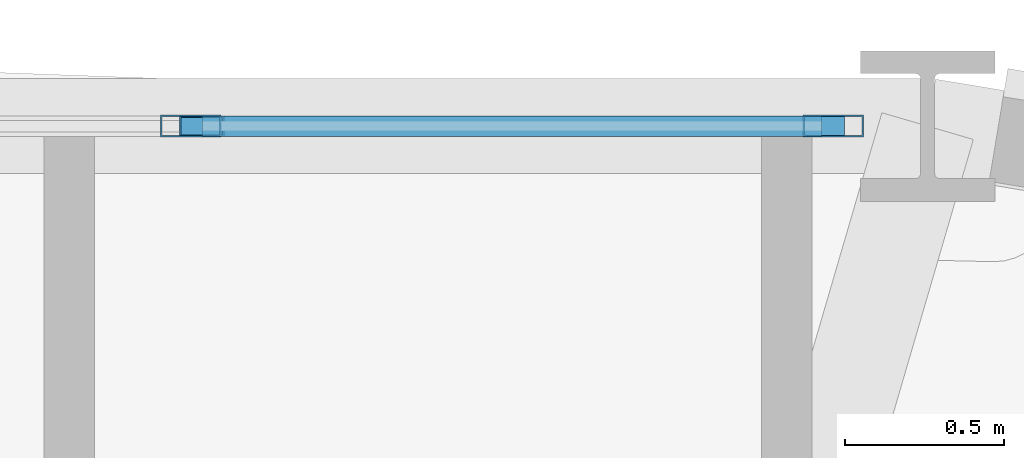
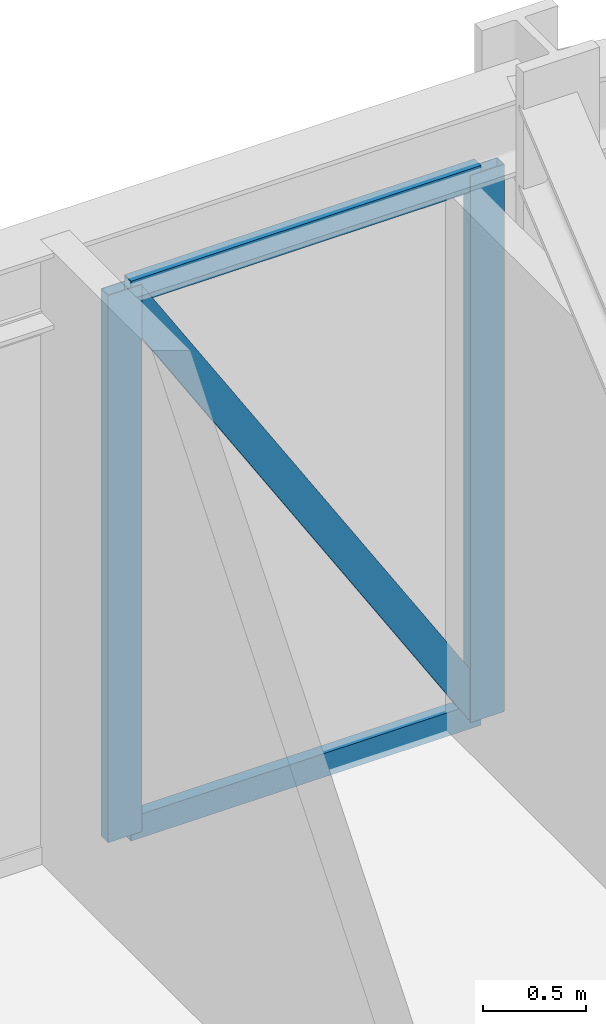
# One storey, part 12 of 20: 5 members, 1 element without a shape of its own.
"""IFC4 building model written with IfcOpenShell, lengths in metres."""

from ifc_helpers import new_model, si_unit, derived_unit, direction, frame, origin, origin_2d, place, context, subcontext, project, spatial, hollow_rectangle, extrude, source, transform, mapped, material, layer, layer_set, material_profile, profile_set, type_object, element, aggregate, save


model = new_model("IFC4")

# Units and contexts
model_context = context("Model", 3, precision=1e-05, world=origin(), true_north=direction((0.0, 1.0)))
body_context = subcontext(model_context, "Body", "Model", "MODEL_VIEW")
ifc_project = project(units=[si_unit("LENGTHUNIT", "METRE"), si_unit("AREAUNIT", "SQUARE_METRE"), si_unit("VOLUMEUNIT", "CUBIC_METRE"), si_unit("PLANEANGLEUNIT", "RADIAN"), si_unit("MASSUNIT", "GRAM", prefix="KILO"), derived_unit("THERMALTRANSMITTANCEUNIT", [(si_unit("POWERUNIT", "WATT"), 1), (si_unit("LENGTHUNIT", "METRE"), -2), (si_unit("THERMODYNAMICTEMPERATUREUNIT", "KELVIN"), -1)])], contexts=[model_context])

# Site, building, storey
site_placement = place(None, origin())
site = spatial("IfcSite", under=ifc_project, at=site_placement, CompositionType="ELEMENT")
building_placement = place(site_placement, origin())
building = spatial("IfcBuilding", under=site, at=building_placement, Name="Korsvarv Bourse and Concert Hall", CompositionType="ELEMENT")
storey_placement = place(building_placement, frame((0.0, 0.0, 75.60009765625)))
storey = spatial("IfcBuildingStorey", under=building, at=storey_placement, Name="L18", CompositionType="ELEMENT", Elevation=75.60009765625)

# Curtain wall, members
ifc_material_1 = material(Name="Anodised aluminium and triple low-E glazing", Category="glass")
ifc_layer = layer(ifc_material_1, 0.219970703125)
ifc_layer_set = layer_set([ifc_layer], Name="Anodised aluminium and triple low-E glazing")
curtain_wall_type = type_object("IfcCurtainWallType", Name="CW-SYS-1", PredefinedType="NOTDEFINED", material=ifc_layer_set)
curtain_wall_placement = place(storey_placement, origin())
curtain_wall = element("IfcCurtainWall", 1, at=curtain_wall_placement, inside=storey, type_object=curtain_wall_type, Name="L18 CW1 curtain wall CW-L18-F03", PredefinedType="NOTDEFINED")
ifc_material_2 = material(Name="Extruded aluminium EN AW-6063 T66", Category="aluminium")
ifc_material_profile_1 = material_profile(ifc_material_2, hollow_rectangle(XDim=0.070068359375, YDim=0.18994140625, WallThickness=0.0048828125, at=origin_2d()), Name="ALU-M 70x190")
ifc_profile_set_1 = profile_set([ifc_material_profile_1], Name="Extruded aluminium EN AW-6063 T66")
member_type_1 = type_object("IfcMemberType", Name="CWM-190", PredefinedType="MULLION", material=ifc_profile_set_1)
shared_shape_1 = source(origin(), body_context, "Body", "SweptSolid", [
    extrude(hollow_rectangle(XDim=0.070068359375, YDim=0.18994140625, WallThickness=0.0048828125, at=origin_2d()), origin(), (0.0, 0.0, 1.0), 3.22998046875),
])
member_1_placement = place(storey_placement, frame((47.37158203125, 55.86767578125, 0.0), z_axis=(0.0, 0.0, 1.0), x_axis=(0.0, -1.0, 0.0)))
member_1 = element("IfcMember", 2, at=member_1_placement, type_object=member_type_1, Name="CW1 mullion 1", PredefinedType="MULLION", context=body_context, shape_type="MappedRepresentation", body=[
    mapped(shared_shape_1, transform((0.0, 0.0, 0.0), scale=1.0)),
])
member_2_placement = place(storey_placement, frame((45.34765625, 55.86767578125, 0.0), z_axis=(0.0, 0.0, 1.0), x_axis=(0.0, -1.0, 0.0)))
member_2 = element("IfcMember", 3, at=member_2_placement, type_object=member_type_1, Name="CW1 mullion 2", PredefinedType="MULLION", context=body_context, shape_type="MappedRepresentation", body=[
    mapped(shared_shape_1, transform((0.0, 0.0, 0.0), scale=1.0)),
])
ifc_material_profile_2 = material_profile(ifc_material_2, hollow_rectangle(XDim=0.06494140625, YDim=0.139892578125, WallThickness=0.00390625, at=origin_2d()), Name="ALU-T 65x140")
ifc_profile_set_2 = profile_set([ifc_material_profile_2], Name="Extruded aluminium EN AW-6063 T66")
member_type_2 = type_object("IfcMemberType", Name="CWT-140", PredefinedType="USERDEFINED", material=ifc_profile_set_2)
shared_shape_2 = source(origin(), body_context, "Body", "SweptSolid", [
    extrude(hollow_rectangle(XDim=0.06494140625, YDim=0.139892578125, WallThickness=0.00390625, at=origin_2d()), origin(), (0.0, 0.0, 1.0), 1.9541015625),
])
member_3_placement = place(storey_placement, frame((47.336669921875, 55.86767578125, 0.032470703125), z_axis=(-1.0, 0.0, 0.0), x_axis=(0.0, -1.0, 0.0)))
member_3 = element("IfcMember", 4, at=member_3_placement, type_object=member_type_2, Name="CW1 transom 1.1", ObjectType="TRANSOM", PredefinedType="USERDEFINED", context=body_context, shape_type="MappedRepresentation", body=[
    mapped(shared_shape_2, transform((0.0, 0.0, 0.0), scale=1.0)),
])
member_4_placement = place(storey_placement, frame((47.336669921875, 55.86767578125, 3.197509765625), z_axis=(-1.0, 0.0, 0.0), x_axis=(0.0, -1.0, 0.0)))
member_4 = element("IfcMember", 5, at=member_4_placement, type_object=member_type_2, Name="CW1 transom 1.2", ObjectType="TRANSOM", PredefinedType="USERDEFINED", context=body_context, shape_type="MappedRepresentation", body=[
    mapped(shared_shape_2, transform((0.0, 0.0, 0.0), scale=1.0)),
])
ifc_material_profile_3 = material_profile(ifc_material_2, hollow_rectangle(XDim=0.06494140625, YDim=0.1650390625, WallThickness=0.0048828125, at=origin_2d()), Name="ALU-M 65x165")
ifc_profile_set_3 = profile_set([ifc_material_profile_3], Name="Extruded aluminium EN AW-6063 T66")
member_type_3 = type_object("IfcMemberType", Name="CWM-165", PredefinedType="MULLION", material=ifc_profile_set_3)
shared_shape_3 = source(origin(), body_context, "Body", "SweptSolid", [
    extrude(hollow_rectangle(XDim=0.06494140625, YDim=0.1650390625, WallThickness=0.0048828125, at=origin_2d()), origin(), (0.0, 0.0, 1.0), 3.664306640625),
])
member_5_placement = place(storey_placement, frame((47.336669921875, 55.86767578125, 0.06494140625), z_axis=(-0.533270866063, 0.0, 0.845944551025), x_axis=(0.0, -1.0, 0.0)))
member_5 = element("IfcMember", 6, at=member_5_placement, type_object=member_type_3, Name="CW1 diagonal mullion 1", PredefinedType="MULLION", context=body_context, shape_type="MappedRepresentation", body=[
    mapped(shared_shape_3, transform((0.0, 0.0, 0.0), scale=1.0)),
])
aggregate(curtain_wall, [member_1, member_2, member_3, member_4, member_5])

save(model, "model.ifc")
